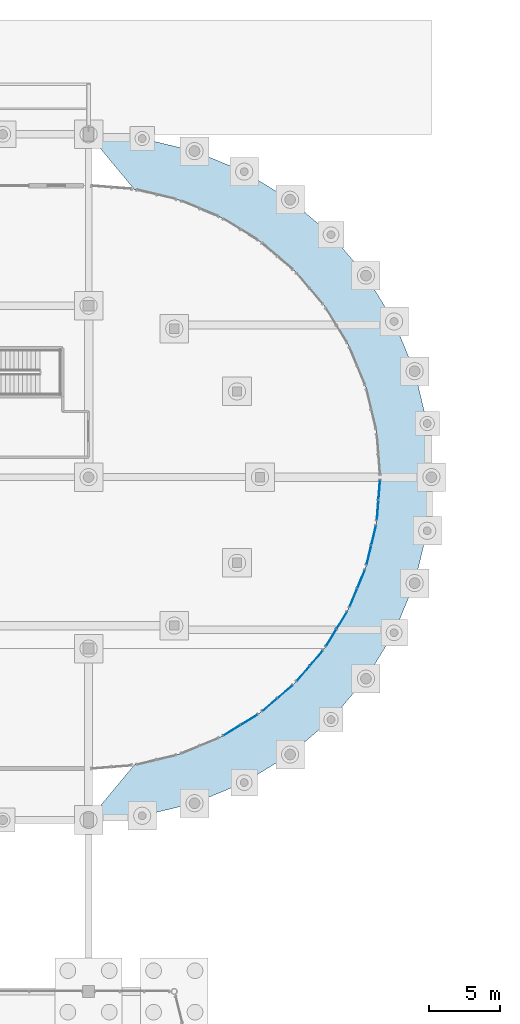
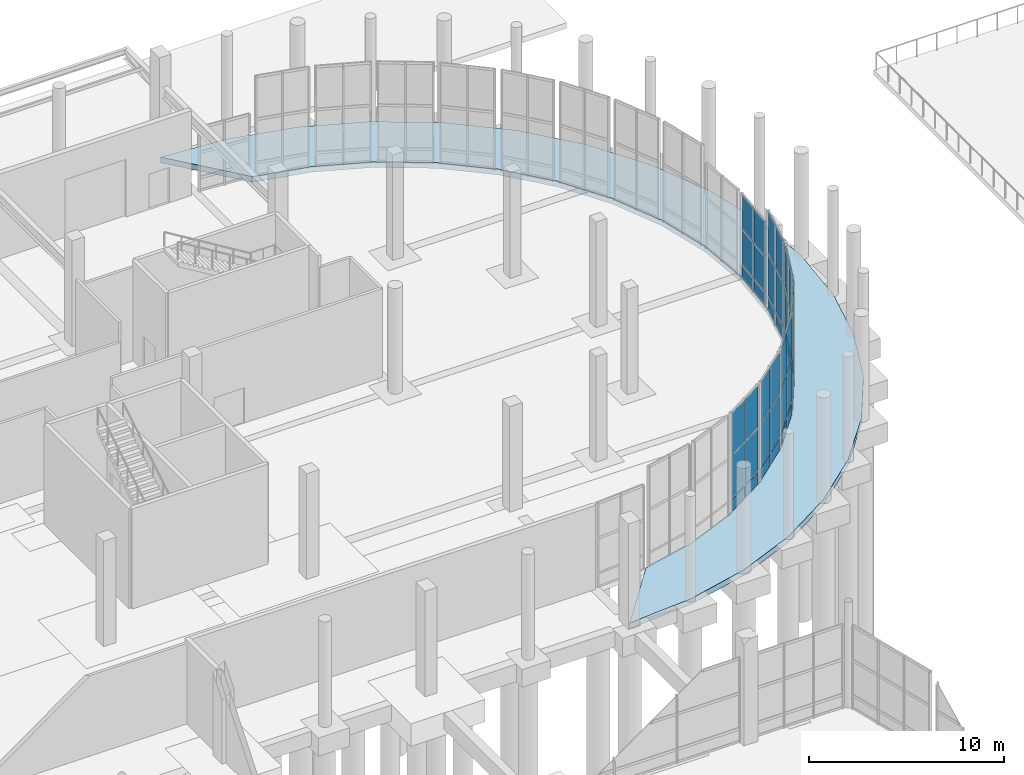
# One storey, part 71 of 117: 42 plates, 1 slab, 7 elements without a shape of their own.
"""IFC4 building model written with IfcOpenShell, lengths in metres."""

from ifc_helpers import new_model, si_unit, direction, frame, origin, origin_2d, place, context, subcontext, project, spatial, polyline, rectangle, outline, extrude, material, layer, layer_set, type_object, element, aggregate, save


model = new_model("IFC4")

# Units and contexts
model_context = context("Model", 3, precision=1e-05, world=origin(), true_north=direction((0.0, 1.0)))
body_context = subcontext(model_context, "Body", "Model", "MODEL_VIEW")
ifc_project = project(units=[si_unit("LENGTHUNIT", "METRE"), si_unit("AREAUNIT", "SQUARE_METRE"), si_unit("VOLUMEUNIT", "CUBIC_METRE"), si_unit("PLANEANGLEUNIT", "RADIAN"), si_unit("MASSUNIT", "GRAM", prefix="KILO")], contexts=[model_context])

# Site, building, storey
site_placement = place(None, origin())
site = spatial("IfcSite", under=ifc_project, at=site_placement, CompositionType="ELEMENT")
building_placement = place(site_placement, origin())
building = spatial("IfcBuilding", under=site, at=building_placement, Name="Kamomehara Wholesale Market", CompositionType="ELEMENT")
storey_placement = place(building_placement, origin())
storey = spatial("IfcBuildingStorey", under=building, at=storey_placement, Name="L00", CompositionType="ELEMENT", Elevation=0.0)

# Curtain wall, plates
ifc_material_1 = material(Name="Anodised aluminium 6063-T5", Category="aluminium")
curtain_wall_type = type_object("IfcCurtainWallType", Name="CW-UN-07", PredefinedType="NOTDEFINED", material=ifc_material_1)
curtain_wall_1_placement = place(storey_placement, origin())
curtain_wall_1 = element("IfcCurtainWall", 1, at=curtain_wall_1_placement, inside=storey, type_object=curtain_wall_type, Name="Unitised curtain wall CW-039", PredefinedType="NOTDEFINED")
ifc_material_2 = material(Name="Solar-control Low-E double glazing", Category="glass")
ifc_layer_1 = layer(ifc_material_2, 0.028076171875)
ifc_layer_set_1 = layer_set([ifc_layer_1], Name="Solar-control Low-E double glazing")
plate_type_1 = type_object("IfcPlateType", Name="CW-PNL-GLZ", PredefinedType="CURTAIN_PANEL", material=ifc_layer_set_1)
plate_1_placement = place(storey_placement, frame((200.35009765625, 131.111083984375, 0.880615234375), z_axis=(0.0, 0.0, 1.0), x_axis=(-0.078476495206, -0.996915964212, 0.0)))
plate_1 = element("IfcPlate", 2, at=plate_1_placement, type_object=plate_type_1, Name="Curtain panel CW-039.0.1", PredefinedType="CURTAIN_PANEL", context=body_context, shape_type="SweptSolid", body=[
    extrude(rectangle(XDim=1.341064453125, YDim=0.028076171875, at=origin_2d()), origin(), (0.0, 0.0, 1.0), 2.1689453125),
])
plate_2_placement = place(storey_placement, frame((200.35009765625, 131.111083984375, 3.108642578125), z_axis=(0.0, 0.0, 1.0), x_axis=(-0.078476495206, -0.996915964212, 0.0)))
plate_2 = element("IfcPlate", 3, at=plate_2_placement, type_object=plate_type_1, Name="Curtain panel CW-039.0.2", PredefinedType="CURTAIN_PANEL", context=body_context, shape_type="SweptSolid", body=[
    extrude(rectangle(XDim=1.341064453125, YDim=0.028076171875, at=origin_2d()), origin(), (0.0, 0.0, 1.0), 2.12890625),
])
plate_3_placement = place(storey_placement, frame((200.239013671875, 129.695068359375, 0.880615234375), z_axis=(0.0, 0.0, 1.0), x_axis=(-0.078476495206, -0.996915964212, 0.0)))
plate_3 = element("IfcPlate", 4, at=plate_3_placement, type_object=plate_type_1, Name="Curtain panel CW-039.1.1", PredefinedType="CURTAIN_PANEL", context=body_context, shape_type="SweptSolid", body=[
    extrude(rectangle(XDim=1.341064453125, YDim=0.028076171875, at=origin_2d()), origin(), (0.0, 0.0, 1.0), 2.1689453125),
])
plate_4_placement = place(storey_placement, frame((200.239013671875, 129.695068359375, 3.108642578125), z_axis=(0.0, 0.0, 1.0), x_axis=(-0.078476495206, -0.996915964212, 0.0)))
plate_4 = element("IfcPlate", 5, at=plate_4_placement, type_object=plate_type_1, Name="Curtain panel CW-039.1.2", PredefinedType="CURTAIN_PANEL", context=body_context, shape_type="SweptSolid", body=[
    extrude(rectangle(XDim=1.341064453125, YDim=0.028076171875, at=origin_2d()), origin(), (0.0, 0.0, 1.0), 2.12890625),
])

curtain_wall_2_placement = place(storey_placement, origin())
curtain_wall_2 = element("IfcCurtainWall", 6, at=curtain_wall_2_placement, inside=storey, type_object=curtain_wall_type, Name="Unitised curtain wall CW-040", PredefinedType="NOTDEFINED")
plate_5_placement = place(storey_placement, frame((199.9609375, 127.93896484375, 0.880615234375), z_axis=(0.0, 0.0, 1.0), x_axis=(-0.233326564717, -0.972398433872, 0.0)))
plate_5 = element("IfcPlate", 7, at=plate_5_placement, type_object=plate_type_1, Name="Curtain panel CW-040.0.1", PredefinedType="CURTAIN_PANEL", context=body_context, shape_type="SweptSolid", body=[
    extrude(rectangle(XDim=1.341064453125, YDim=0.028076171875, at=origin_2d()), origin(), (0.0, 0.0, 1.0), 2.64697265625),
])
plate_6_placement = place(storey_placement, frame((199.9609375, 127.93896484375, 3.587158203125), z_axis=(0.0, 0.0, 1.0), x_axis=(-0.233326564717, -0.972398433872, 0.0)))
plate_6 = element("IfcPlate", 8, at=plate_6_placement, type_object=plate_type_1, Name="Curtain panel CW-040.0.2", PredefinedType="CURTAIN_PANEL", context=body_context, shape_type="SweptSolid", body=[
    extrude(rectangle(XDim=1.341064453125, YDim=0.028076171875, at=origin_2d()), origin(), (0.0, 0.0, 1.0), 2.60791015625),
])
plate_7_placement = place(storey_placement, frame((199.62890625, 126.556884765625, 0.880615234375), z_axis=(0.0, 0.0, 1.0), x_axis=(-0.233326564717, -0.972398433872, 0.0)))
plate_7 = element("IfcPlate", 9, at=plate_7_placement, type_object=plate_type_1, Name="Curtain panel CW-040.1.1", PredefinedType="CURTAIN_PANEL", context=body_context, shape_type="SweptSolid", body=[
    extrude(rectangle(XDim=1.341064453125, YDim=0.028076171875, at=origin_2d()), origin(), (0.0, 0.0, 1.0), 2.64697265625),
])
plate_8_placement = place(storey_placement, frame((199.62890625, 126.556884765625, 3.587158203125), z_axis=(0.0, 0.0, 1.0), x_axis=(-0.233326564717, -0.972398433872, 0.0)))
plate_8 = element("IfcPlate", 10, at=plate_8_placement, type_object=plate_type_1, Name="Curtain panel CW-040.1.2", PredefinedType="CURTAIN_PANEL", context=body_context, shape_type="SweptSolid", body=[
    extrude(rectangle(XDim=1.341064453125, YDim=0.028076171875, at=origin_2d()), origin(), (0.0, 0.0, 1.0), 2.60791015625),
])

curtain_wall_3_placement = place(storey_placement, origin())
curtain_wall_3 = element("IfcCurtainWall", 11, at=curtain_wall_3_placement, inside=storey, type_object=curtain_wall_type, Name="Unitised curtain wall CW-041", PredefinedType="NOTDEFINED")
plate_9_placement = place(storey_placement, frame((199.080078125, 124.865966796875, 0.880615234375), z_axis=(0.0, 0.0, 1.0), x_axis=(-0.382586681829, -0.923919601961, 0.0)))
plate_9 = element("IfcPlate", 12, at=plate_9_placement, type_object=plate_type_1, Name="Curtain panel CW-041.0.1", PredefinedType="CURTAIN_PANEL", context=body_context, shape_type="SweptSolid", body=[
    extrude(rectangle(XDim=1.341064453125, YDim=0.028076171875, at=origin_2d()), origin(), (0.0, 0.0, 1.0), 2.64697265625),
])
plate_10_placement = place(storey_placement, frame((199.080078125, 124.865966796875, 3.587158203125), z_axis=(0.0, 0.0, 1.0), x_axis=(-0.382586681829, -0.923919601961, 0.0)))
plate_10 = element("IfcPlate", 13, at=plate_10_placement, type_object=plate_type_1, Name="Curtain panel CW-041.0.2", PredefinedType="CURTAIN_PANEL", context=body_context, shape_type="SweptSolid", body=[
    extrude(rectangle(XDim=1.341064453125, YDim=0.028076171875, at=origin_2d()), origin(), (0.0, 0.0, 1.0), 2.60791015625),
])
plate_11_placement = place(storey_placement, frame((198.535888671875, 123.553955078125, 0.880615234375), z_axis=(0.0, 0.0, 1.0), x_axis=(-0.382586681829, -0.923919601961, 0.0)))
plate_11 = element("IfcPlate", 14, at=plate_11_placement, type_object=plate_type_1, Name="Curtain panel CW-041.1.1", PredefinedType="CURTAIN_PANEL", context=body_context, shape_type="SweptSolid", body=[
    extrude(rectangle(XDim=1.341064453125, YDim=0.028076171875, at=origin_2d()), origin(), (0.0, 0.0, 1.0), 2.64697265625),
])
plate_12_placement = place(storey_placement, frame((198.535888671875, 123.553955078125, 3.587158203125), z_axis=(0.0, 0.0, 1.0), x_axis=(-0.382586681829, -0.923919601961, 0.0)))
plate_12 = element("IfcPlate", 15, at=plate_12_placement, type_object=plate_type_1, Name="Curtain panel CW-041.1.2", PredefinedType="CURTAIN_PANEL", context=body_context, shape_type="SweptSolid", body=[
    extrude(rectangle(XDim=1.341064453125, YDim=0.028076171875, at=origin_2d()), origin(), (0.0, 0.0, 1.0), 2.60791015625),
])

curtain_wall_4_placement = place(storey_placement, origin())
curtain_wall_4 = element("IfcCurtainWall", 16, at=curtain_wall_4_placement, inside=storey, type_object=curtain_wall_type, Name="Unitised curtain wall CW-042", PredefinedType="NOTDEFINED")
plate_13_placement = place(storey_placement, frame((197.72900390625, 121.969970703125, 0.880615234375), z_axis=(0.0, 0.0, 1.0), x_axis=(-0.522394391169, -0.852703993233, 0.0)))
plate_13 = element("IfcPlate", 17, at=plate_13_placement, type_object=plate_type_1, Name="Curtain panel CW-042.0.1", PredefinedType="CURTAIN_PANEL", context=body_context, shape_type="SweptSolid", body=[
    extrude(rectangle(XDim=1.341064453125, YDim=0.028076171875, at=origin_2d()), origin(), (0.0, 0.0, 1.0), 2.64697265625),
])
plate_14_placement = place(storey_placement, frame((197.72900390625, 121.969970703125, 3.587158203125), z_axis=(0.0, 0.0, 1.0), x_axis=(-0.522394391169, -0.852703993233, 0.0)))
plate_14 = element("IfcPlate", 18, at=plate_14_placement, type_object=plate_type_1, Name="Curtain panel CW-042.0.2", PredefinedType="CURTAIN_PANEL", context=body_context, shape_type="SweptSolid", body=[
    extrude(rectangle(XDim=1.341064453125, YDim=0.028076171875, at=origin_2d()), origin(), (0.0, 0.0, 1.0), 2.60791015625),
])
plate_15_placement = place(storey_placement, frame((196.986083984375, 120.758056640625, 0.880615234375), z_axis=(0.0, 0.0, 1.0), x_axis=(-0.522394391169, -0.852703993233, 0.0)))
plate_15 = element("IfcPlate", 19, at=plate_15_placement, type_object=plate_type_1, Name="Curtain panel CW-042.1.1", PredefinedType="CURTAIN_PANEL", context=body_context, shape_type="SweptSolid", body=[
    extrude(rectangle(XDim=1.341064453125, YDim=0.028076171875, at=origin_2d()), origin(), (0.0, 0.0, 1.0), 2.64697265625),
])
plate_16_placement = place(storey_placement, frame((196.986083984375, 120.758056640625, 3.587158203125), z_axis=(0.0, 0.0, 1.0), x_axis=(-0.522394391169, -0.852703993233, 0.0)))
plate_16 = element("IfcPlate", 20, at=plate_16_placement, type_object=plate_type_1, Name="Curtain panel CW-042.1.2", PredefinedType="CURTAIN_PANEL", context=body_context, shape_type="SweptSolid", body=[
    extrude(rectangle(XDim=1.341064453125, YDim=0.028076171875, at=origin_2d()), origin(), (0.0, 0.0, 1.0), 2.60791015625),
])

curtain_wall_5_placement = place(storey_placement, origin())
curtain_wall_5 = element("IfcCurtainWall", 21, at=curtain_wall_5_placement, inside=storey, type_object=curtain_wall_type, Name="Unitised curtain wall CW-043", PredefinedType="NOTDEFINED")
plate_17_placement = place(storey_placement, frame((195.94091796875, 119.319091796875, 0.8798828125), z_axis=(0.0, 0.0, 1.0), x_axis=(-0.649487862203, -0.760371959537, 0.0)))
plate_17 = element("IfcPlate", 22, at=plate_17_placement, type_object=plate_type_1, Name="Curtain panel CW-043.0.1", PredefinedType="CURTAIN_PANEL", context=body_context, shape_type="SweptSolid", body=[
    extrude(rectangle(XDim=1.340087890625, YDim=0.028076171875, at=origin_2d()), origin(), (0.0, 0.0, 1.0), 2.632080078125),
])
plate_18_placement = place(storey_placement, frame((195.94091796875, 119.319091796875, 3.572265625), z_axis=(0.0, 0.0, 1.0), x_axis=(-0.649487862203, -0.760371959537, 0.0)))
plate_18 = element("IfcPlate", 23, at=plate_18_placement, type_object=plate_type_1, Name="Curtain panel CW-043.0.2", PredefinedType="CURTAIN_PANEL", context=body_context, shape_type="SweptSolid", body=[
    extrude(rectangle(XDim=1.340087890625, YDim=0.028076171875, at=origin_2d()), origin(), (0.0, 0.0, 1.0), 2.593017578125),
])
plate_19_placement = place(storey_placement, frame((195.01806640625, 118.239013671875, 0.8798828125), z_axis=(0.0, 0.0, 1.0), x_axis=(-0.649487862203, -0.760371959537, 0.0)))
plate_19 = element("IfcPlate", 24, at=plate_19_placement, type_object=plate_type_1, Name="Curtain panel CW-043.1.1", PredefinedType="CURTAIN_PANEL", context=body_context, shape_type="SweptSolid", body=[
    extrude(rectangle(XDim=1.340087890625, YDim=0.028076171875, at=origin_2d()), origin(), (0.0, 0.0, 1.0), 2.632080078125),
])
plate_20_placement = place(storey_placement, frame((195.01806640625, 118.239013671875, 3.572265625), z_axis=(0.0, 0.0, 1.0), x_axis=(-0.649487862203, -0.760371959537, 0.0)))
plate_20 = element("IfcPlate", 25, at=plate_20_placement, type_object=plate_type_1, Name="Curtain panel CW-043.1.2", PredefinedType="CURTAIN_PANEL", context=body_context, shape_type="SweptSolid", body=[
    extrude(rectangle(XDim=1.340087890625, YDim=0.028076171875, at=origin_2d()), origin(), (0.0, 0.0, 1.0), 2.593017578125),
])

curtain_wall_6_placement = place(storey_placement, origin())
curtain_wall_6 = element("IfcCurtainWall", 26, at=curtain_wall_6_placement, inside=storey, type_object=curtain_wall_type, Name="Unitised curtain wall CW-044", PredefinedType="NOTDEFINED")
plate_21_placement = place(storey_placement, frame((193.760986328125, 116.98193359375, 0.8798828125), z_axis=(0.0, 0.0, 1.0), x_axis=(-0.760371959537, -0.649487862203, 0.0)))
plate_21 = element("IfcPlate", 27, at=plate_21_placement, type_object=plate_type_1, Name="Curtain panel CW-044.0.1", PredefinedType="CURTAIN_PANEL", context=body_context, shape_type="SweptSolid", body=[
    extrude(rectangle(XDim=1.340087890625, YDim=0.028076171875, at=origin_2d()), origin(), (0.0, 0.0, 1.0), 2.632080078125),
])
plate_22_placement = place(storey_placement, frame((193.760986328125, 116.98193359375, 3.572265625), z_axis=(0.0, 0.0, 1.0), x_axis=(-0.760371959537, -0.649487862203, 0.0)))
plate_22 = element("IfcPlate", 28, at=plate_22_placement, type_object=plate_type_1, Name="Curtain panel CW-044.0.2", PredefinedType="CURTAIN_PANEL", context=body_context, shape_type="SweptSolid", body=[
    extrude(rectangle(XDim=1.340087890625, YDim=0.028076171875, at=origin_2d()), origin(), (0.0, 0.0, 1.0), 2.593017578125),
])
plate_23_placement = place(storey_placement, frame((192.680908203125, 116.05908203125, 0.8798828125), z_axis=(0.0, 0.0, 1.0), x_axis=(-0.760371959537, -0.649487862203, 0.0)))
plate_23 = element("IfcPlate", 29, at=plate_23_placement, type_object=plate_type_1, Name="Curtain panel CW-044.1.1", PredefinedType="CURTAIN_PANEL", context=body_context, shape_type="SweptSolid", body=[
    extrude(rectangle(XDim=1.340087890625, YDim=0.028076171875, at=origin_2d()), origin(), (0.0, 0.0, 1.0), 2.632080078125),
])
plate_24_placement = place(storey_placement, frame((192.680908203125, 116.05908203125, 3.572265625), z_axis=(0.0, 0.0, 1.0), x_axis=(-0.760371959537, -0.649487862203, 0.0)))
plate_24 = element("IfcPlate", 30, at=plate_24_placement, type_object=plate_type_1, Name="Curtain panel CW-044.1.2", PredefinedType="CURTAIN_PANEL", context=body_context, shape_type="SweptSolid", body=[
    extrude(rectangle(XDim=1.340087890625, YDim=0.028076171875, at=origin_2d()), origin(), (0.0, 0.0, 1.0), 2.593017578125),
])

curtain_wall_7_placement = place(storey_placement, origin())
curtain_wall_7 = element("IfcCurtainWall", 31, at=curtain_wall_7_placement, inside=storey, type_object=curtain_wall_type, Name="Unitised curtain wall CW-045", PredefinedType="NOTDEFINED")
plate_25_placement = place(storey_placement, frame((191.241943359375, 115.013916015625, 0.8798828125), z_axis=(0.0, 0.0, 1.0), x_axis=(-0.852703993233, -0.522394391169, 0.0)))
plate_25 = element("IfcPlate", 32, at=plate_25_placement, type_object=plate_type_1, Name="Curtain panel CW-045.0.1", PredefinedType="CURTAIN_PANEL", context=body_context, shape_type="SweptSolid", body=[
    extrude(rectangle(XDim=1.341064453125, YDim=0.028076171875, at=origin_2d()), origin(), (0.0, 0.0, 1.0), 2.652099609375),
])
plate_26_placement = place(storey_placement, frame((191.241943359375, 115.013916015625, 3.59228515625), z_axis=(0.0, 0.0, 1.0), x_axis=(-0.852703993233, -0.522394391169, 0.0)))
plate_26 = element("IfcPlate", 33, at=plate_26_placement, type_object=plate_type_1, Name="Curtain panel CW-045.0.2", PredefinedType="CURTAIN_PANEL", context=body_context, shape_type="SweptSolid", body=[
    extrude(rectangle(XDim=1.341064453125, YDim=0.028076171875, at=origin_2d()), origin(), (0.0, 0.0, 1.0), 2.613037109375),
])
plate_27_placement = place(storey_placement, frame((190.030029296875, 114.27099609375, 0.8798828125), z_axis=(0.0, 0.0, 1.0), x_axis=(-0.852703993233, -0.522394391169, 0.0)))
plate_27 = element("IfcPlate", 34, at=plate_27_placement, type_object=plate_type_1, Name="Curtain panel CW-045.1.1", PredefinedType="CURTAIN_PANEL", context=body_context, shape_type="SweptSolid", body=[
    extrude(rectangle(XDim=1.341064453125, YDim=0.028076171875, at=origin_2d()), origin(), (0.0, 0.0, 1.0), 2.652099609375),
])
plate_28_placement = place(storey_placement, frame((190.030029296875, 114.27099609375, 3.59228515625), z_axis=(0.0, 0.0, 1.0), x_axis=(-0.852703993233, -0.522394391169, 0.0)))
plate_28 = element("IfcPlate", 35, at=plate_28_placement, type_object=plate_type_1, Name="Curtain panel CW-045.1.2", PredefinedType="CURTAIN_PANEL", context=body_context, shape_type="SweptSolid", body=[
    extrude(rectangle(XDim=1.341064453125, YDim=0.028076171875, at=origin_2d()), origin(), (0.0, 0.0, 1.0), 2.613037109375),
])

# Plate
ifc_material_3 = material(Name="Insulated aluminium spandrel panel", Category="aluminium")
ifc_layer_2 = layer(ifc_material_3, 0.0400390625)
ifc_layer_set_2 = layer_set([ifc_layer_2], Name="Insulated aluminium spandrel panel")
plate_type_2 = type_object("IfcPlateType", Name="CW-PNL-SPN", PredefinedType="CURTAIN_PANEL", material=ifc_layer_set_2)
plate_29_placement = place(storey_placement, frame((200.35009765625, 131.111083984375, 0.070068359375), z_axis=(0.0, 0.0, 1.0), x_axis=(-0.078476495206, -0.996915964212, 0.0)))
plate_29 = element("IfcPlate", 36, at=plate_29_placement, type_object=plate_type_2, Name="Curtain panel CW-039.0.0", PredefinedType="CURTAIN_PANEL", context=body_context, shape_type="SweptSolid", body=[
    extrude(rectangle(XDim=1.341064453125, YDim=0.0400390625, at=origin_2d()), origin(), (0.0, 0.0, 1.0), 0.75),
])

plate_30_placement = place(storey_placement, frame((200.239013671875, 129.695068359375, 0.070068359375), z_axis=(0.0, 0.0, 1.0), x_axis=(-0.078476495206, -0.996915964212, 0.0)))
plate_30 = element("IfcPlate", 37, at=plate_30_placement, type_object=plate_type_2, Name="Curtain panel CW-039.1.0", PredefinedType="CURTAIN_PANEL", context=body_context, shape_type="SweptSolid", body=[
    extrude(rectangle(XDim=1.341064453125, YDim=0.0400390625, at=origin_2d()), origin(), (0.0, 0.0, 1.0), 0.75),
])

aggregate(curtain_wall_1, [plate_29, plate_1, plate_2, plate_30, plate_3, plate_4])

plate_31_placement = place(storey_placement, frame((199.9609375, 127.93896484375, 0.070068359375), z_axis=(0.0, 0.0, 1.0), x_axis=(-0.233326564717, -0.972398433872, 0.0)))
plate_31 = element("IfcPlate", 38, at=plate_31_placement, type_object=plate_type_2, Name="Curtain panel CW-040.0.0", PredefinedType="CURTAIN_PANEL", context=body_context, shape_type="SweptSolid", body=[
    extrude(rectangle(XDim=1.341064453125, YDim=0.0400390625, at=origin_2d()), origin(), (0.0, 0.0, 1.0), 0.75),
])

plate_32_placement = place(storey_placement, frame((199.62890625, 126.556884765625, 0.070068359375), z_axis=(0.0, 0.0, 1.0), x_axis=(-0.233326564717, -0.972398433872, 0.0)))
plate_32 = element("IfcPlate", 39, at=plate_32_placement, type_object=plate_type_2, Name="Curtain panel CW-040.1.0", PredefinedType="CURTAIN_PANEL", context=body_context, shape_type="SweptSolid", body=[
    extrude(rectangle(XDim=1.341064453125, YDim=0.0400390625, at=origin_2d()), origin(), (0.0, 0.0, 1.0), 0.75),
])

aggregate(curtain_wall_2, [plate_31, plate_5, plate_6, plate_32, plate_7, plate_8])

plate_33_placement = place(storey_placement, frame((199.080078125, 124.865966796875, 0.070068359375), z_axis=(0.0, 0.0, 1.0), x_axis=(-0.382586681829, -0.923919601961, 0.0)))
plate_33 = element("IfcPlate", 40, at=plate_33_placement, type_object=plate_type_2, Name="Curtain panel CW-041.0.0", PredefinedType="CURTAIN_PANEL", context=body_context, shape_type="SweptSolid", body=[
    extrude(rectangle(XDim=1.341064453125, YDim=0.0400390625, at=origin_2d()), origin(), (0.0, 0.0, 1.0), 0.75),
])

plate_34_placement = place(storey_placement, frame((198.535888671875, 123.553955078125, 0.070068359375), z_axis=(0.0, 0.0, 1.0), x_axis=(-0.382586681829, -0.923919601961, 0.0)))
plate_34 = element("IfcPlate", 41, at=plate_34_placement, type_object=plate_type_2, Name="Curtain panel CW-041.1.0", PredefinedType="CURTAIN_PANEL", context=body_context, shape_type="SweptSolid", body=[
    extrude(rectangle(XDim=1.341064453125, YDim=0.0400390625, at=origin_2d()), origin(), (0.0, 0.0, 1.0), 0.75),
])

aggregate(curtain_wall_3, [plate_33, plate_9, plate_10, plate_34, plate_11, plate_12])

plate_35_placement = place(storey_placement, frame((197.72900390625, 121.969970703125, 0.070068359375), z_axis=(0.0, 0.0, 1.0), x_axis=(-0.522394391169, -0.852703993233, 0.0)))
plate_35 = element("IfcPlate", 42, at=plate_35_placement, type_object=plate_type_2, Name="Curtain panel CW-042.0.0", PredefinedType="CURTAIN_PANEL", context=body_context, shape_type="SweptSolid", body=[
    extrude(rectangle(XDim=1.341064453125, YDim=0.0400390625, at=origin_2d()), origin(), (0.0, 0.0, 1.0), 0.75),
])

plate_36_placement = place(storey_placement, frame((196.986083984375, 120.758056640625, 0.070068359375), z_axis=(0.0, 0.0, 1.0), x_axis=(-0.522394391169, -0.852703993233, 0.0)))
plate_36 = element("IfcPlate", 43, at=plate_36_placement, type_object=plate_type_2, Name="Curtain panel CW-042.1.0", PredefinedType="CURTAIN_PANEL", context=body_context, shape_type="SweptSolid", body=[
    extrude(rectangle(XDim=1.341064453125, YDim=0.0400390625, at=origin_2d()), origin(), (0.0, 0.0, 1.0), 0.75),
])

aggregate(curtain_wall_4, [plate_35, plate_13, plate_14, plate_36, plate_15, plate_16])

plate_37_placement = place(storey_placement, frame((195.94091796875, 119.319091796875, 0.070068359375), z_axis=(0.0, 0.0, 1.0), x_axis=(-0.649487862203, -0.760371959537, 0.0)))
plate_37 = element("IfcPlate", 44, at=plate_37_placement, type_object=plate_type_2, Name="Curtain panel CW-043.0.0", PredefinedType="CURTAIN_PANEL", context=body_context, shape_type="SweptSolid", body=[
    extrude(rectangle(XDim=1.340087890625, YDim=0.0400390625, at=origin_2d()), origin(), (0.0, 0.0, 1.0), 0.75),
])

plate_38_placement = place(storey_placement, frame((195.01806640625, 118.239013671875, 0.070068359375), z_axis=(0.0, 0.0, 1.0), x_axis=(-0.649487862203, -0.760371959537, 0.0)))
plate_38 = element("IfcPlate", 45, at=plate_38_placement, type_object=plate_type_2, Name="Curtain panel CW-043.1.0", PredefinedType="CURTAIN_PANEL", context=body_context, shape_type="SweptSolid", body=[
    extrude(rectangle(XDim=1.340087890625, YDim=0.0400390625, at=origin_2d()), origin(), (0.0, 0.0, 1.0), 0.75),
])

aggregate(curtain_wall_5, [plate_37, plate_17, plate_18, plate_38, plate_19, plate_20])

plate_39_placement = place(storey_placement, frame((193.760986328125, 116.98193359375, 0.070068359375), z_axis=(0.0, 0.0, 1.0), x_axis=(-0.760371959537, -0.649487862203, 0.0)))
plate_39 = element("IfcPlate", 46, at=plate_39_placement, type_object=plate_type_2, Name="Curtain panel CW-044.0.0", PredefinedType="CURTAIN_PANEL", context=body_context, shape_type="SweptSolid", body=[
    extrude(rectangle(XDim=1.340087890625, YDim=0.0400390625, at=origin_2d()), origin(), (0.0, 0.0, 1.0), 0.75),
])

plate_40_placement = place(storey_placement, frame((192.680908203125, 116.05908203125, 0.070068359375), z_axis=(0.0, 0.0, 1.0), x_axis=(-0.760371959537, -0.649487862203, 0.0)))
plate_40 = element("IfcPlate", 47, at=plate_40_placement, type_object=plate_type_2, Name="Curtain panel CW-044.1.0", PredefinedType="CURTAIN_PANEL", context=body_context, shape_type="SweptSolid", body=[
    extrude(rectangle(XDim=1.340087890625, YDim=0.0400390625, at=origin_2d()), origin(), (0.0, 0.0, 1.0), 0.75),
])

aggregate(curtain_wall_6, [plate_39, plate_21, plate_22, plate_40, plate_23, plate_24])

plate_41_placement = place(storey_placement, frame((191.241943359375, 115.013916015625, 0.070068359375), z_axis=(0.0, 0.0, 1.0), x_axis=(-0.852703993233, -0.522394391169, 0.0)))
plate_41 = element("IfcPlate", 48, at=plate_41_placement, type_object=plate_type_2, Name="Curtain panel CW-045.0.0", PredefinedType="CURTAIN_PANEL", context=body_context, shape_type="SweptSolid", body=[
    extrude(rectangle(XDim=1.341064453125, YDim=0.0400390625, at=origin_2d()), origin(), (0.0, 0.0, 1.0), 0.75),
])

plate_42_placement = place(storey_placement, frame((190.030029296875, 114.27099609375, 0.070068359375), z_axis=(0.0, 0.0, 1.0), x_axis=(-0.852703993233, -0.522394391169, 0.0)))
plate_42 = element("IfcPlate", 49, at=plate_42_placement, type_object=plate_type_2, Name="Curtain panel CW-045.1.0", PredefinedType="CURTAIN_PANEL", context=body_context, shape_type="SweptSolid", body=[
    extrude(rectangle(XDim=1.341064453125, YDim=0.0400390625, at=origin_2d()), origin(), (0.0, 0.0, 1.0), 0.75),
])

aggregate(curtain_wall_7, [plate_41, plate_25, plate_26, plate_42, plate_27, plate_28])

# Slab
ifc_material_4 = material(Name="Concrete Fc30 (C30/37)", Category="concrete")
ifc_layer_3 = layer(ifc_material_4, 0.35498046875)
ifc_layer_set_3 = layer_set([ifc_layer_3], Name="Concrete Fc30 (C30/37)")
slab_type = type_object("IfcSlabType", Name="SLB-EXT-260", PredefinedType="FLOOR", material=ifc_layer_set_3)
slab_placement = place(storey_placement, frame((0.0, 0.0, -0.35498046875)))
element("IfcSlab", 50, at=slab_placement, inside=storey, type_object=slab_type, Name="External slab OSLB-L00-ARC-APSE", PredefinedType="FLOOR", context=body_context, shape_type="SweptSolid", body=[
    extrude(outline(polyline([(180.0, 108.0), (183.75390625, 108.294921875), (187.416015625, 109.175048828125), (190.89599609375, 110.615966796875), (194.10693359375, 112.583984375), (196.970947265625, 115.029052734375), (199.416015625, 117.89306640625), (201.384033203125, 121.10400390625), (202.824951171875, 124.583984375), (203.705078125, 128.24609375), (204.0, 132.0), (203.705078125, 135.75390625), (202.824951171875, 139.416015625), (201.384033203125, 142.89599609375), (199.416015625, 146.10693359375), (196.970947265625, 148.970947265625), (194.10693359375, 151.416015625), (190.89599609375, 153.384033203125), (187.416015625, 154.824951171875), (183.75390625, 155.705078125), (180.0, 156.0), (183.19091796875, 152.14892578125), (186.303955078125, 151.402099609375), (189.260986328125, 150.177001953125), (191.990966796875, 148.50390625), (194.425048828125, 146.425048828125), (196.50390625, 143.990966796875), (198.177001953125, 141.260986328125), (199.402099609375, 138.303955078125), (200.14892578125, 135.19091796875), (200.39990234375, 132.0), (200.14892578125, 128.80908203125), (199.402099609375, 125.696044921875), (198.177001953125, 122.739013671875), (196.50390625, 120.009033203125), (194.425048828125, 117.574951171875), (191.990966796875, 115.49609375), (189.260986328125, 113.822998046875), (186.303955078125, 112.597900390625), (183.19091796875, 111.85107421875), (180.0, 108.0)])), origin(), (0.0, 0.0, 1.0), 0.35498046875),
])

save(model, "model.ifc")
